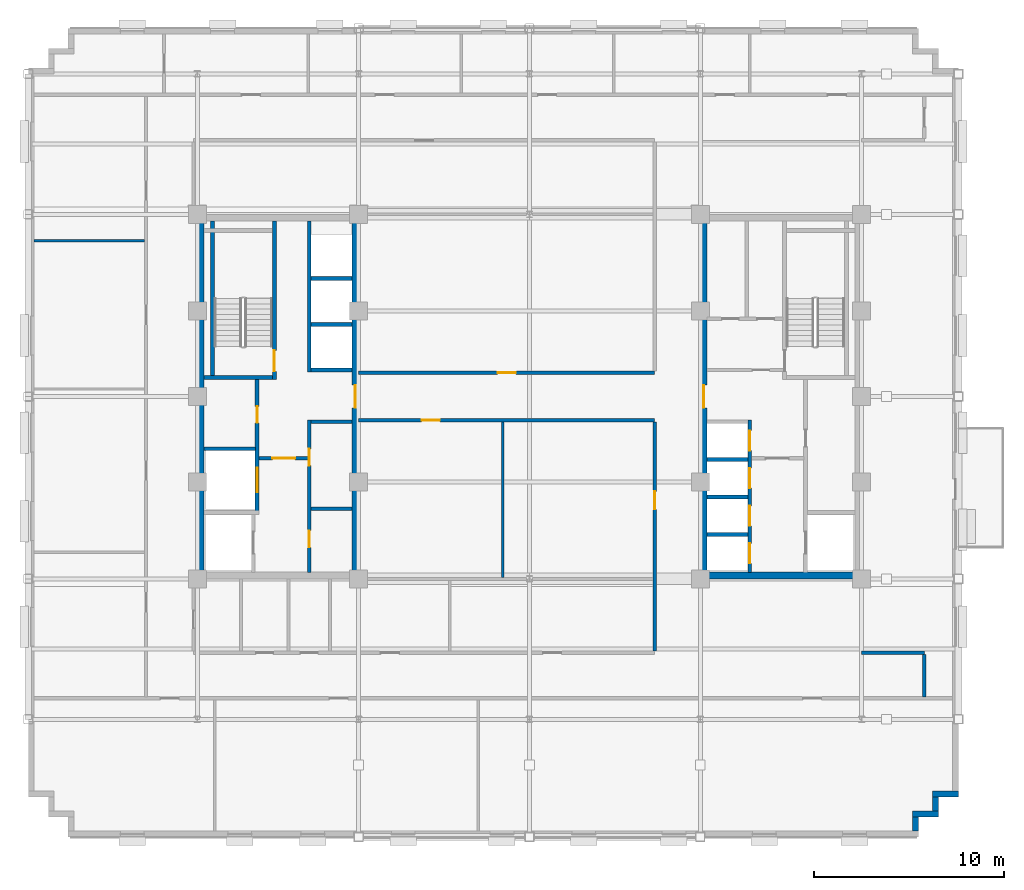
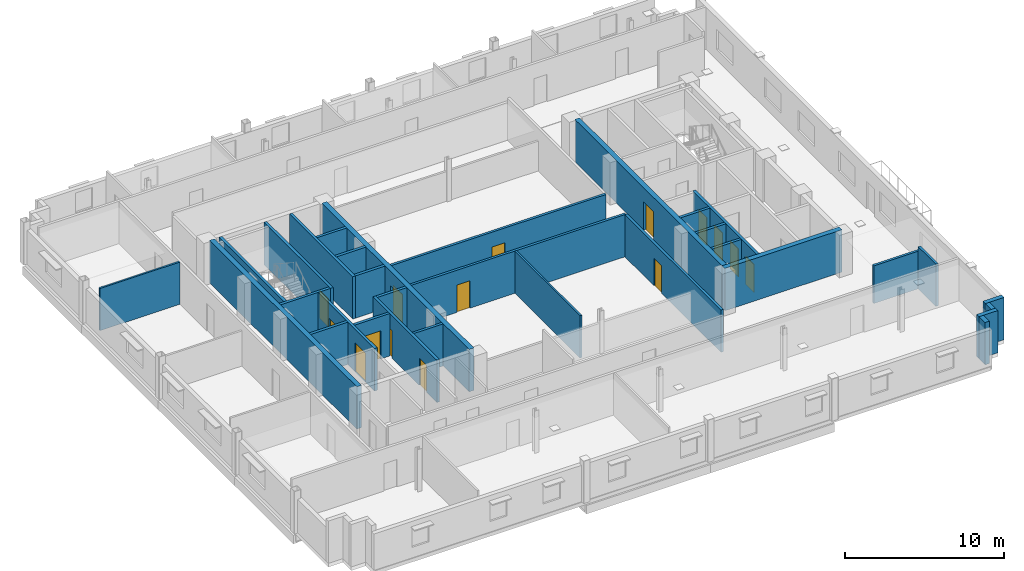
# One storey, part 8 of 15: 32 walls, 15 doors, 15 openings.
"""IFC4 building model written with IfcOpenShell, lengths in metres."""

import ifcopenshell
import ifcopenshell.guid

model = None  # the IFC model being written
_history = None  # IfcOwnerHistory: only IFC2X3 demands one
_inside = {}  # id of a spatial element -> (the spatial element, [elements in it])
_under = {}  # id of a project, library or spatial element -> (it, [spatial elements below it])
_declared = {}  # id of a project -> (the project, [libraries it declares])
_typed = {}  # id of a type object -> (the type object, [elements of that type])
_made_of = {}  # id of a material, layer set ... -> (it, [elements and type objects made of it])


def new_model(schema):
    """Start an empty IFC model of exactly this schema.

    Asked for "IFC4X3", IfcOpenShell would pick the latest addendum, in which some entities
    have other attributes; the version numbers below select the first issue.
    IFC2X3 requires an IfcOwnerHistory on every rooted entity: one is made here for all.
    """
    global model, _history
    if schema == "IFC4X3":
        model = ifcopenshell.file(schema_version=(4, 3, 0, 0))
    else:
        model = ifcopenshell.file(schema=schema)
    _inside.clear()
    _under.clear()
    _declared.clear()
    _typed.clear()
    _made_of.clear()
    _history = None
    if model.schema == "IFC2X3":
        org = make("IfcOrganization", Name="unknown")
        user = make(
            "IfcPersonAndOrganization",
            ThePerson=make("IfcPerson", FamilyName="unknown"),
            TheOrganization=org,
        )
        app = make(
            "IfcApplication",
            ApplicationDeveloper=org,
            Version="unknown",
            ApplicationFullName="unknown",
            ApplicationIdentifier="unknown",
        )
        _history = make(
            "IfcOwnerHistory",
            OwningUser=user,
            OwningApplication=app,
            ChangeAction="ADDED",
            CreationDate=0,
        )
    return model


def make(cls, **values):
    """One entity of the class cls with the attributes given. An attribute that is None is left unset."""
    return model.create_entity(
        cls, **{name: value for name, value in values.items() if value is not None}
    )


def rooted(cls, **values):
    """An entity with a GlobalId (a new one), such as an element, a storey or a relation."""
    return make(cls, GlobalId=ifcopenshell.guid.new(), OwnerHistory=_history, **values)


def si_unit(unit_type, name, prefix=None):
    """IfcSIUnit, for example si_unit("LENGTHUNIT", "METRE", prefix="MILLI")."""
    return make("IfcSIUnit", UnitType=unit_type, Prefix=prefix, Name=name)


def assignment(units):
    """IfcUnitAssignment: the units of a project."""
    return None if units is None else make("IfcUnitAssignment", Units=units)


def point(xyz):
    """IfcCartesianPoint."""
    return None if xyz is None else make("IfcCartesianPoint", Coordinates=xyz)


def direction(xyz):
    """IfcDirection."""
    return None if xyz is None else make("IfcDirection", DirectionRatios=xyz)


def frame(location, z_axis=None, x_axis=None):
    """IfcAxis2Placement3D, a coordinate frame: its origin and axes. An axis left out is left unset."""
    return make(
        "IfcAxis2Placement3D",
        Location=point(location),
        Axis=direction(z_axis),
        RefDirection=direction(x_axis),
    )


def frame_2d(location, x_axis=None):
    """IfcAxis2Placement2D, a coordinate frame in the plane: its origin and x axis."""
    return make(
        "IfcAxis2Placement2D", Location=point(location), RefDirection=direction(x_axis)
    )


def origin():
    """The frame at (0, 0, 0) with its axes left unset."""
    return frame((0.0, 0.0, 0.0))


def place(relative_to, where):
    """IfcLocalPlacement: puts the frame where relative to a parent placement (None: the world)."""
    return make(
        "IfcLocalPlacement", PlacementRelTo=relative_to, RelativePlacement=where
    )


def context(
    kind, dimensions, precision=None, world=None, true_north=None, identifier=None
):
    """IfcGeometricRepresentationContext, for example the 3D "Model" context."""
    return make(
        "IfcGeometricRepresentationContext",
        ContextIdentifier=identifier,
        ContextType=kind,
        CoordinateSpaceDimension=dimensions,
        Precision=precision,
        WorldCoordinateSystem=world,
        TrueNorth=true_north,
    )


def subcontext(parent, identifier, kind, view, scale=None):
    """IfcGeometricRepresentationSubContext, for example "Body" below "Model"."""
    return make(
        "IfcGeometricRepresentationSubContext",
        ContextIdentifier=identifier,
        ContextType=kind,
        ParentContext=parent,
        TargetScale=scale,
        TargetView=view,
    )


def project(units=None, contexts=None):
    """IfcProject with its units and contexts."""
    return rooted(
        "IfcProject",
        Name="project",
        RepresentationContexts=contexts,
        UnitsInContext=assignment(units),
    )


def spatial(cls, under=None, at=None, **own):
    """A site, building, storey or space (cls), placed at a placement, below another one or the project."""
    s = rooted(cls, ObjectPlacement=at, **own)
    if under is not None:
        _under.setdefault(under.id(), (under, []))[1].append(s)
    return s


def profile(cls, at=None, kind="AREA", **sizes):
    """A parametric profile (cls). Its sizes go by their IFC names, for example OverallWidth=200.0."""
    return make(cls, ProfileType=kind, Position=at, **sizes)


def rectangle(**sizes):
    """IfcRectangleProfileDef."""
    return profile("IfcRectangleProfileDef", **sizes)


def extrude(swept, where, along, depth):
    """IfcExtrudedAreaSolid: the profile swept, set in the frame where, extruded along a direction by depth."""
    return make(
        "IfcExtrudedAreaSolid",
        SweptArea=swept,
        Position=where,
        ExtrudedDirection=direction(along),
        Depth=depth,
    )


def shape(context_of_items, identifier, shape_type, items):
    """IfcShapeRepresentation: the items that make up one representation, for example the "Body"."""
    return make(
        "IfcShapeRepresentation",
        ContextOfItems=context_of_items,
        RepresentationIdentifier=identifier,
        RepresentationType=shape_type,
        Items=items,
    )


def source(mapping_origin, context_of_items, identifier, shape_type, items):
    """IfcRepresentationMap: a shape defined once, which mapped items show again and again."""
    return make(
        "IfcRepresentationMap",
        MappingOrigin=mapping_origin,
        MappedRepresentation=shape(context_of_items, identifier, shape_type, items),
    )


def transform(
    local_origin,
    x_axis=None,
    y_axis=None,
    z_axis=None,
    scale=None,
    scale2=None,
    scale3=None,
    uniform=True,
):
    """IfcCartesianTransformationOperator3D, or its non-uniform kind. x_axis, y_axis, z_axis: its Axis1, 2, 3."""
    if uniform:
        return make(
            "IfcCartesianTransformationOperator3D",
            Axis1=direction(x_axis),
            Axis2=direction(y_axis),
            LocalOrigin=point(local_origin),
            Scale=scale,
            Axis3=direction(z_axis),
        )
    return make(
        "IfcCartesianTransformationOperator3DnonUniform",
        Axis1=direction(x_axis),
        Axis2=direction(y_axis),
        LocalOrigin=point(local_origin),
        Scale=scale,
        Axis3=direction(z_axis),
        Scale2=scale2,
        Scale3=scale3,
    )


def mapped(mapping_source, mapping_target):
    """IfcMappedItem: shows the shape of a source again, moved by a transform."""
    return make(
        "IfcMappedItem", MappingSource=mapping_source, MappingTarget=mapping_target
    )


def material(Name=None, Category=None):
    """IfcMaterial."""
    return make("IfcMaterial", Name=Name, Category=Category)


def layer(
    of_material, thickness, ventilated=None, Name=None, Category=None, Priority=None
):
    """IfcMaterialLayer: one layer of a wall or slab, of a material (None: an air gap)."""
    return make(
        "IfcMaterialLayer",
        Material=of_material,
        LayerThickness=thickness,
        IsVentilated=ventilated,
        Name=Name,
        Category=Category,
        Priority=Priority,
    )


def layer_set(layers, Name=None):
    """IfcMaterialLayerSet."""
    return make("IfcMaterialLayerSet", MaterialLayers=layers, LayerSetName=Name)


def made_of(thing, what):
    """Note that an element or type object is made of a material, layer set ...; save() writes the relation."""
    if what is not None:
        _made_of.setdefault(what.id(), (what, []))[1].append(thing)
    return thing


def type_object(cls, material=None, **own):
    """A type object (cls), such as IfcWallType, which elements share."""
    return made_of(rooted(cls, **own), material)


def type_shapes(of_type, sources):
    """Give a type object the sources (RepresentationMaps) that its elements show as mapped items."""
    of_type.RepresentationMaps = sources


def element(
    cls,
    number,
    at=None,
    inside=None,
    cuts=None,
    type_object=None,
    material=None,
    context=None,
    identifier="Body",
    shape_type=None,
    held_by="IfcProductDefinitionShape",
    body=None,
    shapes=None,
    **own,
):
    """One element of the class cls, such as IfcWall. Its Tag is "e" and its number.

    at: its placement. inside: the storey or other place that contains it. cuts: it is an
    opening in that element (IfcRelVoidsElement). A single representation is given by context,
    identifier, shape_type and body (its items); several are given by shapes. held_by: the class
    of the entity that holds the representations. save() writes the other relations.
    """
    e = rooted(cls, Tag="e%d" % number, ObjectPlacement=at, **own)
    if body is not None:
        shapes = [shape(context, identifier, shape_type, body)]
    if shapes is not None:
        e.Representation = make(held_by, Representations=shapes)
    if inside is not None:
        _inside.setdefault(inside.id(), (inside, []))[1].append(e)
    if cuts is not None:
        rooted(
            "IfcRelVoidsElement", RelatingBuildingElement=cuts, RelatedOpeningElement=e
        )
    if type_object is not None:
        _typed.setdefault(type_object.id(), (type_object, []))[1].append(e)
    return made_of(e, material)


def fill(opening, filler):
    """IfcRelFillsElement: the door or window that sits in an opening."""
    return rooted(
        "IfcRelFillsElement",
        RelatingOpeningElement=opening,
        RelatedBuildingElement=filler,
    )


def aggregate(whole, parts):
    """IfcRelAggregates: a whole, such as a stair, and the parts it consists of."""
    return rooted("IfcRelAggregates", RelatingObject=whole, RelatedObjects=parts)


def save(model, path):
    """Write the relations noted so far, then the file.

    IfcRelAggregates (storeys below a building ...), IfcRelContainedInSpatialStructure (elements
    in a storey), IfcRelDefinesByType, IfcRelAssociatesMaterial and IfcRelDeclares: one each for
    every whole, place, type object, material and project.
    """
    for whole, parts in _under.values():
        aggregate(whole, parts)
    for where, things in _inside.values():
        rooted(
            "IfcRelContainedInSpatialStructure",
            RelatedElements=things,
            RelatingStructure=where,
        )
    for kind, things in _typed.values():
        rooted("IfcRelDefinesByType", RelatedObjects=things, RelatingType=kind)
    for what, things in _made_of.values():
        rooted("IfcRelAssociatesMaterial", RelatedObjects=things, RelatingMaterial=what)
    for by, libraries in _declared.values():
        rooted("IfcRelDeclares", RelatingContext=by, RelatedDefinitions=libraries)
    model.write(path)


model = new_model("IFC4")

# Units and contexts
model_context = context("Model", 3, precision=1e-05, world=origin(), true_north=direction((0.0, 1.0)))
body_context = subcontext(model_context, "Body", "Model", "MODEL_VIEW")
ifc_project = project(units=[si_unit("LENGTHUNIT", "METRE"), si_unit("AREAUNIT", "SQUARE_METRE"), si_unit("VOLUMEUNIT", "CUBIC_METRE"), si_unit("PLANEANGLEUNIT", "RADIAN"), si_unit("MASSUNIT", "GRAM", prefix="KILO")], contexts=[model_context])

# Site, building, storey
site_placement = place(None, origin())
site = spatial("IfcSite", under=ifc_project, at=site_placement, CompositionType="ELEMENT")
building_placement = place(site_placement, origin())
building = spatial("IfcBuilding", under=site, at=building_placement, Name="Nuvemarco Arch Tower", CompositionType="ELEMENT")
storey_placement = place(building_placement, frame((0.0, 0.0, 205.5)))
storey = spatial("IfcBuildingStorey", under=building, at=storey_placement, Name="L54", CompositionType="ELEMENT", Elevation=205.5)

# Walls
ifc_material_1 = material(Name="Precast concrete C45/55", Category="concrete")
ifc_layer_1 = layer(ifc_material_1, 0.31005859375, Name="EW-UPP-310")
ifc_layer_set_1 = layer_set([ifc_layer_1], Name="Precast concrete C45/55")
wall_type_1 = type_object("IfcWallType", Name="EW-UPP-310", PredefinedType="STANDARD", material=ifc_layer_set_1)
wall_1_placement = place(storey_placement, frame((20.344970703125, -22.89404296875, 0.0), z_axis=(0.0, 0.0, 1.0), x_axis=(0.0, 1.0, 0.0)))
element("IfcWall", 1, at=wall_1_placement, inside=storey, type_object=wall_type_1, Name="L54 exterior precast facade wall 2", PredefinedType="STANDARD", context=body_context, shape_type="SweptSolid", body=[
    extrude(rectangle(XDim=0.748046875, YDim=0.31005859375, at=frame_2d((0.3740234375, 0.0))), origin(), (0.0, 0.0, 1.0), 3.239990234375),
])
wall_2_placement = place(storey_placement, frame((20.18994140625, -21.9951171875, 0.0), z_axis=(0.0, 0.0, 1.0), x_axis=(1.0, 0.0, 0.0)))
element("IfcWall", 2, at=wall_2_placement, inside=storey, type_object=wall_type_1, Name="L54 exterior precast facade wall 3", PredefinedType="STANDARD", context=body_context, shape_type="SweptSolid", body=[
    extrude(rectangle(XDim=1.360107421875, YDim=0.31005859375, at=frame_2d((0.68017578125, 0.0))), origin(), (0.0, 0.0, 1.0), 3.239990234375),
])
wall_3_placement = place(storey_placement, frame((21.39501953125, -21.843994140625, 0.0), z_axis=(0.0, 0.0, 1.0), x_axis=(0.0, 1.0, 0.0)))
element("IfcWall", 3, at=wall_3_placement, inside=storey, type_object=wall_type_1, Name="L54 exterior precast facade wall 4", PredefinedType="STANDARD", context=body_context, shape_type="SweptSolid", body=[
    extrude(rectangle(XDim=0.748046875, YDim=0.31005859375, at=frame_2d((0.3740234375, 0.0))), origin(), (0.0, 0.0, 1.0), 3.239990234375),
])
wall_4_placement = place(storey_placement, frame((21.239990234375, -20.945068359375, 0.0), z_axis=(0.0, 0.0, 1.0), x_axis=(1.0, 0.0, 0.0)))
element("IfcWall", 4, at=wall_4_placement, inside=storey, type_object=wall_type_1, Name="L54 exterior precast facade wall 5", PredefinedType="STANDARD", context=body_context, shape_type="SweptSolid", body=[
    extrude(rectangle(XDim=1.360107421875, YDim=0.31005859375, at=frame_2d((0.68017578125, 0.0))), origin(), (0.0, 0.0, 1.0), 3.239990234375),
])
ifc_material_2 = material(Name="Concrete C50/60", Category="concrete")
ifc_layer_2 = layer(ifc_material_2, 0.35009765625, Name="WL-CORE-350")
ifc_layer_set_2 = layer_set([ifc_layer_2], Name="Concrete C50/60")
wall_type_2 = type_object("IfcWallType", Name="WL-CORE-350", PredefinedType="SHEAR", material=ifc_layer_set_2)
wall_5_placement = place(storey_placement, frame((-17.324951171875, -9.2548828125, 0.0), z_axis=(0.0, 0.0, 1.0), x_axis=(0.0, 1.0, 0.0)))
element("IfcWall", 5, at=wall_5_placement, inside=storey, type_object=wall_type_2, Name="L54 W-core shear wall W", PredefinedType="SHEAR", context=body_context, shape_type="SweptSolid", body=[
    extrude(rectangle(XDim=18.509765625, YDim=0.35009765625, at=frame_2d((9.2548828125, 0.0))), origin(), (0.0, 0.0, 1.0), 3.25),
])

# Wall, opening, door
wall_6_placement = place(storey_placement, frame((-9.175048828125, -9.2548828125, 0.0), z_axis=(0.0, 0.0, 1.0), x_axis=(0.0, 1.0, 0.0)))
wall_6 = element("IfcWall", 6, at=wall_6_placement, inside=storey, type_object=wall_type_2, Name="L54 W-core shear wall E", PredefinedType="SHEAR", context=body_context, shape_type="SweptSolid", body=[
    extrude(rectangle(XDim=18.509765625, YDim=0.35009765625, at=frame_2d((9.2548828125, 0.0))), origin(), (0.0, 0.0, 1.0), 3.25),
])
opening_1_placement = place(wall_6_placement, frame((8.655029296875, 0.0, 0.0)))
opening_1 = element("IfcOpeningElement", 7, at=opening_1_placement, cuts=wall_6, Name="Opening FD-2", PredefinedType="OPENING", context=body_context, shape_type="SweptSolid", body=[
    extrude(rectangle(XDim=1.199951171875, YDim=2.14990234375, at=frame_2d((0.60009765625, 1.074951171875))), frame((0.0, 0.18505859375, 0.0), z_axis=(0.0, -1.0, 0.0), x_axis=(1.0, 0.0, 0.0)), (0.0, 0.0, 1.0), 0.3701171875),
])
ifc_material_3 = material(Name="Anodised steel fire door", Category="steel")
door_type_1 = type_object("IfcDoorType", Name="DR-FFLOB-FD", OperationType="NOTDEFINED", PredefinedType="DOOR", material=ifc_material_3)
shared_shape_1 = source(origin(), body_context, "Body", "SweptSolid", [
    extrude(rectangle(XDim=1.199951171875, YDim=2.14990234375, at=frame_2d((0.60009765625, 1.074951171875))), frame((0.0, 0.02490234375, 0.0), z_axis=(0.0, -1.0, 0.0), x_axis=(1.0, 0.0, 0.0)), (0.0, 0.0, 1.0), 0.050048828125),
])
type_shapes(door_type_1, [shared_shape_1])
door_1_placement = place(opening_1_placement, origin())
door_1 = element("IfcDoor", 8, at=door_1_placement, inside=storey, type_object=door_type_1, Name="L54 door FD-L54-WCORE-E", OperationType="SINGLE_SWING_LEFT", OverallHeight=2.14990234375, OverallWidth=1.199951171875, PredefinedType="DOOR", context=body_context, shape_type="MappedRepresentation", body=[
    mapped(shared_shape_1, transform((0.0, 0.0, 0.0), scale=1.0)),
])
fill(opening_1, door_1)

# Wall
wall_7_placement = place(storey_placement, frame((9.0, -9.425048828125, 0.0), z_axis=(0.0, 0.0, 1.0), x_axis=(1.0, 0.0, 0.0)))
element("IfcWall", 9, at=wall_7_placement, inside=storey, type_object=wall_type_2, Name="L54 E-core shear wall S", PredefinedType="SHEAR", context=body_context, shape_type="SweptSolid", body=[
    extrude(rectangle(XDim=8.5, YDim=0.35009765625, at=frame_2d((4.25, 0.0))), origin(), (0.0, 0.0, 1.0), 3.25),
])

# Wall, opening, door
wall_8_placement = place(storey_placement, frame((9.175048828125, -9.2548828125, 0.0), z_axis=(0.0, 0.0, 1.0), x_axis=(0.0, 1.0, 0.0)))
wall_8 = element("IfcWall", 10, at=wall_8_placement, inside=storey, type_object=wall_type_2, Name="L54 E-core shear wall W", PredefinedType="SHEAR", context=body_context, shape_type="SweptSolid", body=[
    extrude(rectangle(XDim=18.509765625, YDim=0.35009765625, at=frame_2d((9.2548828125, 0.0))), origin(), (0.0, 0.0, 1.0), 3.25),
])
opening_2_placement = place(wall_8_placement, frame((8.655029296875, 0.0, 0.0)))
opening_2 = element("IfcOpeningElement", 11, at=opening_2_placement, cuts=wall_8, Name="Opening FD-2", PredefinedType="OPENING", context=body_context, shape_type="SweptSolid", body=[
    extrude(rectangle(XDim=1.199951171875, YDim=2.14990234375, at=frame_2d((0.60009765625, 1.074951171875))), frame((0.0, 0.18505859375, 0.0), z_axis=(0.0, -1.0, 0.0), x_axis=(1.0, 0.0, 0.0)), (0.0, 0.0, 1.0), 0.3701171875),
])
door_2_placement = place(opening_2_placement, origin())
door_2 = element("IfcDoor", 12, at=door_2_placement, inside=storey, type_object=door_type_1, Name="L54 door FD-L54-ECORE-W", OperationType="SINGLE_SWING_RIGHT", OverallHeight=2.14990234375, OverallWidth=1.199951171875, PredefinedType="DOOR", context=body_context, shape_type="MappedRepresentation", body=[
    mapped(shared_shape_1, transform((0.0, 0.0, 0.0), scale=1.0)),
])
fill(opening_2, door_2)

# Walls
ifc_material_4 = material(Name="Fire-rated gypsum drywall partition")
ifc_layer_3 = layer(ifc_material_4, 0.179931640625, Name="WL-CORR-180")
ifc_layer_set_3 = layer_set([ifc_layer_3], Name="Fire-rated gypsum drywall partition")
wall_type_3 = type_object("IfcWallType", Name="WL-CORR-180", PredefinedType="PARTITIONING", material=ifc_layer_set_3)
wall_9_placement = place(storey_placement, frame((-11.5048828125, -5.89990234375, 0.0), z_axis=(0.0, 0.0, 1.0), x_axis=(1.0, 0.0, 0.0)))
element("IfcWall", 13, at=wall_9_placement, inside=storey, type_object=wall_type_3, Name="L54 interior wall IW-L54-W-RECK3", PredefinedType="PARTITIONING", context=body_context, shape_type="SweptSolid", body=[
    extrude(rectangle(XDim=2.159912109375, YDim=0.179931640625, at=frame_2d((1.080078125, 0.0))), origin(), (0.0, 0.0, 1.0), 3.239990234375),
])
wall_10_placement = place(storey_placement, frame((17.5, -13.5, 0.0), z_axis=(0.0, 0.0, 1.0), x_axis=(1.0, 0.0, 0.0)))
element("IfcWall", 14, at=wall_10_placement, inside=storey, type_object=wall_type_3, Name="L54 interior wall IW-L54-003", PredefinedType="PARTITIONING", context=body_context, shape_type="SweptSolid", body=[
    extrude(rectangle(XDim=3.300048828125, YDim=0.179931640625, at=frame_2d((1.64990234375, 0.0))), origin(), (0.0, 0.0, 1.0), 2.887939453125),
])

# Wall, opening, door
wall_11_placement = place(storey_placement, frame((-9.0, -1.25, 0.0), z_axis=(0.0, 0.0, 1.0), x_axis=(1.0, 0.0, 0.0)))
wall_11 = element("IfcWall", 15, at=wall_11_placement, inside=storey, type_object=wall_type_3, Name="L54 interior wall IW-L54-007", PredefinedType="PARTITIONING", context=body_context, shape_type="SweptSolid", body=[
    extrude(rectangle(XDim=15.60009765625, YDim=0.179931640625, at=frame_2d((7.800048828125, 0.0))), origin(), (0.0, 0.0, 1.0), 3.239990234375),
])
opening_3_placement = place(wall_11_placement, frame((3.320068359375, 0.0, 0.0)))
opening_3 = element("IfcOpeningElement", 16, at=opening_3_placement, cuts=wall_11, Name="Opening FD-5", PredefinedType="OPENING", context=body_context, shape_type="SweptSolid", body=[
    extrude(rectangle(XDim=0.9599609375, YDim=2.10009765625, at=frame_2d((0.47998046875, 1.050048828125))), frame((0.0, 0.099853515625, 0.0), z_axis=(0.0, -1.0, 0.0), x_axis=(1.0, 0.0, 0.0)), (0.0, 0.0, 1.0), 0.199951171875),
])
ifc_material_5 = material(Name="Timber fire door", Category="wood")
door_type_2 = type_object("IfcDoorType", Name="DR-CORR-FD", OperationType="NOTDEFINED", PredefinedType="DOOR", material=ifc_material_5)
shared_shape_2 = source(origin(), body_context, "Body", "SweptSolid", [
    extrude(rectangle(XDim=0.9599609375, YDim=2.10009765625, at=frame_2d((0.47998046875, 1.050048828125))), frame((0.0, 0.02490234375, 0.0), z_axis=(0.0, -1.0, 0.0), x_axis=(1.0, 0.0, 0.0)), (0.0, 0.0, 1.0), 0.050048828125),
])
type_shapes(door_type_2, [shared_shape_2])
door_3_placement = place(opening_3_placement, origin())
door_3 = element("IfcDoor", 17, at=door_3_placement, inside=storey, type_object=door_type_2, Name="L54 door DR-L54-C_S1", OperationType="SINGLE_SWING_LEFT", OverallHeight=2.10009765625, OverallWidth=0.9599609375, PredefinedType="DOOR", context=body_context, shape_type="MappedRepresentation", body=[
    mapped(shared_shape_2, transform((0.0, 0.0, 0.0), scale=1.0)),
])
fill(opening_3, door_3)

wall_12_placement = place(storey_placement, frame((-9.0, 1.25, 0.0), z_axis=(0.0, 0.0, 1.0), x_axis=(1.0, 0.0, 0.0)))
wall_12 = element("IfcWall", 18, at=wall_12_placement, inside=storey, type_object=wall_type_3, Name="L54 interior wall IW-L54-009", PredefinedType="PARTITIONING", context=body_context, shape_type="SweptSolid", body=[
    extrude(rectangle(XDim=15.60009765625, YDim=0.179931640625, at=frame_2d((7.800048828125, 0.0))), origin(), (0.0, 0.0, 1.0), 3.239990234375),
])
opening_4_placement = place(wall_12_placement, frame((7.320068359375, 0.0, 0.0)))
opening_4 = element("IfcOpeningElement", 19, at=opening_4_placement, cuts=wall_12, Name="Opening FD-5", PredefinedType="OPENING", context=body_context, shape_type="SweptSolid", body=[
    extrude(rectangle(XDim=0.9599609375, YDim=2.10009765625, at=frame_2d((0.47998046875, 1.050048828125))), frame((0.0, 0.099853515625, 0.0), z_axis=(0.0, -1.0, 0.0), x_axis=(1.0, 0.0, 0.0)), (0.0, 0.0, 1.0), 0.199951171875),
])
door_4_placement = place(opening_4_placement, origin())
door_4 = element("IfcDoor", 20, at=door_4_placement, inside=storey, type_object=door_type_2, Name="L54 door DR-L54-C_N1", OperationType="SINGLE_SWING_LEFT", OverallHeight=2.10009765625, OverallWidth=0.9599609375, PredefinedType="DOOR", context=body_context, shape_type="MappedRepresentation", body=[
    mapped(shared_shape_2, transform((0.0, 0.0, 0.0), scale=1.0)),
])
fill(opening_4, door_4)

wall_13_placement = place(storey_placement, frame((6.60009765625, -13.4140625, 0.0), z_axis=(0.0, 0.0, 1.0), x_axis=(0.0, 1.0, 0.0)))
wall_13 = element("IfcWall", 21, at=wall_13_placement, inside=storey, type_object=wall_type_3, Name="L54 interior wall IW-L54-030", PredefinedType="PARTITIONING", context=body_context, shape_type="SweptSolid", body=[
    extrude(rectangle(XDim=12.078125, YDim=0.179931640625, at=frame_2d((6.0390625, 0.0))), origin(), (0.0, 0.0, 1.0), 3.239990234375),
])
opening_5_placement = place(wall_13_placement, frame((7.466064453125, 0.0, 0.0)))
opening_5 = element("IfcOpeningElement", 22, at=opening_5_placement, cuts=wall_13, Name="Opening FD-5", PredefinedType="OPENING", context=body_context, shape_type="SweptSolid", body=[
    extrude(rectangle(XDim=0.9599609375, YDim=2.10009765625, at=frame_2d((0.47998046875, 1.050048828125))), frame((0.0, 0.099853515625, 0.0), z_axis=(0.0, -1.0, 0.0), x_axis=(1.0, 0.0, 0.0)), (0.0, 0.0, 1.0), 0.199951171875),
])
door_5_placement = place(opening_5_placement, origin())
door_5 = element("IfcDoor", 23, at=door_5_placement, inside=storey, type_object=door_type_2, Name="L54 door DR-L54-C_S2", OperationType="SINGLE_SWING_LEFT", OverallHeight=2.10009765625, OverallWidth=0.9599609375, PredefinedType="DOOR", context=body_context, shape_type="MappedRepresentation", body=[
    mapped(shared_shape_2, transform((0.0, 0.0, 0.0), scale=1.0)),
])
fill(opening_5, door_5)

# Walls
wall_14_placement = place(storey_placement, frame((20.800048828125, -15.81396484375, 0.0), z_axis=(0.0, 0.0, 1.0), x_axis=(0.0, 1.0, 0.0)))
element("IfcWall", 24, at=wall_14_placement, inside=storey, type_object=wall_type_3, Name="L54 interior wall IW-L54-033", PredefinedType="PARTITIONING", context=body_context, shape_type="SweptSolid", body=[
    extrude(rectangle(XDim=2.22802734375, YDim=0.179931640625, at=frame_2d((1.114013671875, 0.0))), origin(), (0.0, 0.0, 1.0), 3.239990234375),
])
ifc_material_6 = material(Name="Glazed acoustic office partition")
ifc_layer_4 = layer(ifc_material_6, 0.1298828125, Name="WL-EXEC-130")
ifc_layer_set_4 = layer_set([ifc_layer_4], Name="Glazed acoustic office partition")
wall_type_4 = type_object("IfcWallType", Name="WL-EXEC-130", PredefinedType="PARTITIONING", material=ifc_layer_set_4)
wall_15_placement = place(storey_placement, frame((-26.090087890625, 8.199951171875, 0.0), z_axis=(0.0, 0.0, 1.0), x_axis=(1.0, 0.0, 0.0)))
element("IfcWall", 25, at=wall_15_placement, inside=storey, type_object=wall_type_4, Name="L54 interior wall IW-L54-010", PredefinedType="PARTITIONING", context=body_context, shape_type="SweptSolid", body=[
    extrude(rectangle(XDim=5.80419921875, YDim=0.1298828125, at=frame_2d((2.902099609375, 0.0))), origin(), (0.0, 0.0, 1.0), 3.239990234375),
])
wall_16_placement = place(storey_placement, frame((-1.39990234375, -9.52392578125, 0.0), z_axis=(0.0, 0.0, 1.0), x_axis=(0.0, 1.0, 0.0)))
element("IfcWall", 26, at=wall_16_placement, inside=storey, type_object=wall_type_4, Name="L54 interior wall IW-L54-028", PredefinedType="PARTITIONING", context=body_context, shape_type="SweptSolid", body=[
    extrude(rectangle(XDim=8.18798828125, YDim=0.1298828125, at=frame_2d((4.093994140625, 0.0))), origin(), (0.0, 0.0, 1.0), 3.239990234375),
])

# Wall, opening, door
ifc_layer_5 = layer(ifc_material_2, 0.199951171875, Name="WL-SHAFT-220")
ifc_layer_set_5 = layer_set([ifc_layer_5], Name="Concrete C50/60")
wall_type_5 = type_object("IfcWallType", Name="WL-SHAFT-220", PredefinedType="SHEAR", material=ifc_layer_set_5)
wall_17_placement = place(storey_placement, frame((-13.43994140625, 0.89990234375, 0.0), z_axis=(0.0, 0.0, 1.0), x_axis=(0.0, 1.0, 0.0)))
wall_17 = element("IfcWall", 27, at=wall_17_placement, inside=storey, type_object=wall_type_5, Name="L54 structural shaft wall SW-L54-W-ST1E", PredefinedType="SHEAR", context=body_context, shape_type="SweptSolid", body=[
    extrude(rectangle(XDim=8.35498046875, YDim=0.199951171875, at=frame_2d((4.177490234375, 0.0))), origin(), (0.0, 0.0, 1.0), 3.25),
])
opening_6_placement = place(wall_17_placement, frame((1.530029296875, 0.0, 0.0), z_axis=(0.0, 0.0, 1.0), x_axis=(-1.0, 0.0, 0.0)))
opening_6 = element("IfcOpeningElement", 28, at=opening_6_placement, cuts=wall_17, Name="Opening FD-1", PredefinedType="OPENING", context=body_context, shape_type="SweptSolid", body=[
    extrude(rectangle(XDim=1.10009765625, YDim=2.14990234375, at=frame_2d((0.550048828125, 1.074951171875))), frame((0.0, 0.10986328125, 0.0), z_axis=(0.0, -1.0, 0.0), x_axis=(1.0, 0.0, 0.0)), (0.0, 0.0, 1.0), 0.219970703125),
])
door_type_3 = type_object("IfcDoorType", Name="DR-STAIR-FD", OperationType="NOTDEFINED", PredefinedType="DOOR", material=ifc_material_3)
shared_shape_3 = source(origin(), body_context, "Body", "SweptSolid", [
    extrude(rectangle(XDim=1.10009765625, YDim=2.14990234375, at=frame_2d((0.550048828125, 1.074951171875))), frame((0.0, 0.02490234375, 0.0), z_axis=(0.0, -1.0, 0.0), x_axis=(1.0, 0.0, 0.0)), (0.0, 0.0, 1.0), 0.050048828125),
])
type_shapes(door_type_3, [shared_shape_3])
door_6_placement = place(opening_6_placement, origin())
door_6 = element("IfcDoor", 29, at=door_6_placement, inside=storey, type_object=door_type_3, Name="L54 door FD-L54-ST1", OperationType="SINGLE_SWING_LEFT", OverallHeight=2.14990234375, OverallWidth=1.10009765625, PredefinedType="DOOR", context=body_context, shape_type="MappedRepresentation", body=[
    mapped(shared_shape_3, transform((0.0, 0.0, 0.0), scale=1.0)),
])
fill(opening_6, door_6)

# Walls
wall_18_placement = place(storey_placement, frame((-17.155029296875, 1.0, 0.0), z_axis=(0.0, 0.0, 1.0), x_axis=(1.0, 0.0, 0.0)))
element("IfcWall", 30, at=wall_18_placement, inside=storey, type_object=wall_type_5, Name="L54 structural shaft wall SW-L54-W-ST1S", PredefinedType="SHEAR", context=body_context, shape_type="SweptSolid", body=[
    extrude(rectangle(XDim=3.6201171875, YDim=0.199951171875, at=frame_2d((1.81005859375, 0.0))), origin(), (0.0, 0.0, 1.0), 3.25),
])
wall_19_placement = place(storey_placement, frame((-16.699951171875, 1.094970703125, 0.0), z_axis=(0.0, 0.0, 1.0), x_axis=(0.0, 1.0, 0.0)))
element("IfcWall", 31, at=wall_19_placement, inside=storey, type_object=wall_type_5, Name="L54 structural shaft wall SW-L54-W-ST1W", PredefinedType="SHEAR", context=body_context, shape_type="SweptSolid", body=[
    extrude(rectangle(XDim=8.159912109375, YDim=0.199951171875, at=frame_2d((4.080078125, 0.0))), origin(), (0.0, 0.0, 1.0), 3.25),
])

# Wall, openings, doors
wall_20_placement = place(storey_placement, frame((-14.35009765625, -6.199951171875, 0.0), z_axis=(0.0, 0.0, 1.0), x_axis=(0.0, 1.0, 0.0)))
wall_20 = element("IfcWall", 32, at=wall_20_placement, inside=storey, type_object=wall_type_5, Name="L54 structural shaft wall SW-L54-W-SVE", PredefinedType="SHEAR", context=body_context, shape_type="SweptSolid", body=[
    extrude(rectangle(XDim=7.10498046875, YDim=0.199951171875, at=frame_2d((3.552490234375, 0.0))), origin(), (0.0, 0.0, 1.0), 3.25),
])
opening_7_placement = place(wall_20_placement, frame((5.68994140625, 0.0, 0.0), z_axis=(0.0, 0.0, 1.0), x_axis=(-1.0, 0.0, 0.0)))
opening_7 = element("IfcOpeningElement", 33, at=opening_7_placement, cuts=wall_20, Name="Opening FD-4", PredefinedType="OPENING", context=body_context, shape_type="SweptSolid", body=[
    extrude(rectangle(XDim=0.8798828125, YDim=2.10009765625, at=frame_2d((0.43994140625, 1.050048828125))), frame((0.0, 0.10986328125, 0.0), z_axis=(0.0, -1.0, 0.0), x_axis=(1.0, 0.0, 0.0)), (0.0, 0.0, 1.0), 0.219970703125),
])
opening_8_placement = place(wall_20_placement, frame((1.14990234375, 0.0, 0.0)))
opening_8 = element("IfcOpeningElement", 34, at=opening_8_placement, cuts=wall_20, Name="Opening LD-3", PredefinedType="OPENING", context=body_context, shape_type="SweptSolid", body=[
    extrude(rectangle(XDim=1.300048828125, YDim=2.199951171875, at=frame_2d((0.64990234375, 1.10009765625))), frame((0.0, 0.10986328125, 0.0), z_axis=(0.0, -1.0, 0.0), x_axis=(1.0, 0.0, 0.0)), (0.0, 0.0, 1.0), 0.219970703125),
])
door_type_4 = type_object("IfcDoorType", Name="DR-RISER-FD", OperationType="NOTDEFINED", PredefinedType="DOOR", material=ifc_material_3)
shared_shape_4 = source(origin(), body_context, "Body", "SweptSolid", [
    extrude(rectangle(XDim=0.8798828125, YDim=2.10009765625, at=frame_2d((0.43994140625, 1.050048828125))), frame((0.0, 0.02490234375, 0.0), z_axis=(0.0, -1.0, 0.0), x_axis=(1.0, 0.0, 0.0)), (0.0, 0.0, 1.0), 0.050048828125),
])
type_shapes(door_type_4, [shared_shape_4])
door_7_placement = place(opening_7_placement, origin())
door_7 = element("IfcDoor", 35, at=door_7_placement, inside=storey, type_object=door_type_4, Name="L54 door FD-L54-WRIS", OperationType="SINGLE_SWING_LEFT", OverallHeight=2.10009765625, OverallWidth=0.8798828125, PredefinedType="DOOR", context=body_context, shape_type="MappedRepresentation", body=[
    mapped(shared_shape_4, transform((0.0, 0.0, 0.0), scale=1.0)),
])
fill(opening_7, door_7)
ifc_material_7 = material(Name="Stainless steel lift door", Category="steel")
door_type_5 = type_object("IfcDoorType", Name="DR-LIFT-SERV", OperationType="DOUBLE_DOOR_SLIDING", PredefinedType="DOOR", material=ifc_material_7)
shared_shape_5 = source(origin(), body_context, "Body", "SweptSolid", [
    extrude(rectangle(XDim=1.300048828125, YDim=2.199951171875, at=frame_2d((0.64990234375, 1.10009765625))), frame((0.0, 0.02490234375, 0.0), z_axis=(0.0, -1.0, 0.0), x_axis=(1.0, 0.0, 0.0)), (0.0, 0.0, 1.0), 0.050048828125),
])
type_shapes(door_type_5, [shared_shape_5])
door_8_placement = place(opening_8_placement, origin())
door_8 = element("IfcDoor", 36, at=door_8_placement, inside=storey, type_object=door_type_5, Name="L54 Lift landing sliding door SVL-1", OperationType="DOUBLE_DOOR_SLIDING", OverallHeight=2.199951171875, OverallWidth=1.300048828125, PredefinedType="DOOR", context=body_context, shape_type="MappedRepresentation", body=[
    mapped(shared_shape_5, transform((0.0, 0.0, 0.0), scale=1.0)),
])
fill(opening_8, door_8)

# Wall
wall_21_placement = place(storey_placement, frame((-17.155029296875, -2.75, 0.0), z_axis=(0.0, 0.0, 1.0), x_axis=(1.0, 0.0, 0.0)))
element("IfcWall", 37, at=wall_21_placement, inside=storey, type_object=wall_type_5, Name="L54 structural shaft wall SW-L54-W-SH2", PredefinedType="SHEAR", context=body_context, shape_type="SweptSolid", body=[
    extrude(rectangle(XDim=2.7099609375, YDim=0.199951171875, at=frame_2d((1.35498046875, 0.0))), origin(), (0.0, 0.0, 1.0), 3.25),
])

# Wall, openings, doors
wall_22_placement = place(storey_placement, frame((-11.60009765625, -9.2548828125, 0.0), z_axis=(0.0, 0.0, 1.0), x_axis=(0.0, 1.0, 0.0)))
wall_22 = element("IfcWall", 38, at=wall_22_placement, inside=storey, type_object=wall_type_5, Name="L54 structural shaft wall SW-L54-W-PLW", PredefinedType="SHEAR", context=body_context, shape_type="SweptSolid", body=[
    extrude(rectangle(XDim=8.02490234375, YDim=0.199951171875, at=frame_2d((4.012451171875, 0.0))), origin(), (0.0, 0.0, 1.0), 3.25),
])
opening_9_placement = place(wall_22_placement, frame((1.31494140625, 0.0, 0.0)))
opening_9 = element("IfcOpeningElement", 39, at=opening_9_placement, cuts=wall_22, Name="Opening FD-4", PredefinedType="OPENING", context=body_context, shape_type="SweptSolid", body=[
    extrude(rectangle(XDim=0.8798828125, YDim=2.10009765625, at=frame_2d((0.43994140625, 1.050048828125))), frame((0.0, 0.10986328125, 0.0), z_axis=(0.0, -1.0, 0.0), x_axis=(1.0, 0.0, 0.0)), (0.0, 0.0, 1.0), 0.219970703125),
])
opening_10_placement = place(wall_22_placement, frame((5.614990234375, 0.0, 0.0)))
opening_10 = element("IfcOpeningElement", 40, at=opening_10_placement, cuts=wall_22, Name="Opening FD-4", PredefinedType="OPENING", context=body_context, shape_type="SweptSolid", body=[
    extrude(rectangle(XDim=0.8798828125, YDim=2.10009765625, at=frame_2d((0.43994140625, 1.050048828125))), frame((0.0, 0.10986328125, 0.0), z_axis=(0.0, -1.0, 0.0), x_axis=(1.0, 0.0, 0.0)), (0.0, 0.0, 1.0), 0.219970703125),
])
door_9_placement = place(opening_9_placement, origin())
door_9 = element("IfcDoor", 41, at=door_9_placement, inside=storey, type_object=door_type_4, Name="L54 door FD-L54-WREC1", OperationType="SINGLE_SWING_LEFT", OverallHeight=2.10009765625, OverallWidth=0.8798828125, PredefinedType="DOOR", context=body_context, shape_type="MappedRepresentation", body=[
    mapped(shared_shape_4, transform((0.0, 0.0, 0.0), scale=1.0)),
])
fill(opening_9, door_9)
door_10_placement = place(opening_10_placement, origin())
door_10 = element("IfcDoor", 42, at=door_10_placement, inside=storey, type_object=door_type_4, Name="L54 door FD-L54-WREC2", OperationType="SINGLE_SWING_RIGHT", OverallHeight=2.10009765625, OverallWidth=0.8798828125, PredefinedType="DOOR", context=body_context, shape_type="MappedRepresentation", body=[
    mapped(shared_shape_4, transform((0.0, 0.0, 0.0), scale=1.0)),
])
fill(opening_10, door_10)

# Wall, opening, door
wall_23_placement = place(storey_placement, frame((-14.2548828125, -3.25, 0.0), z_axis=(0.0, 0.0, 1.0), x_axis=(1.0, 0.0, 0.0)))
wall_23 = element("IfcWall", 43, at=wall_23_placement, inside=storey, type_object=wall_type_5, Name="L54 structural shaft wall SW-L54-W-FFN", PredefinedType="SHEAR", context=body_context, shape_type="SweptSolid", body=[
    extrude(rectangle(XDim=2.559814453125, YDim=0.199951171875, at=frame_2d((1.27978515625, 0.0))), origin(), (0.0, 0.0, 1.0), 3.25),
])
opening_11_placement = place(wall_23_placement, frame((0.705078125, 0.0, 0.0)))
opening_11 = element("IfcOpeningElement", 44, at=opening_11_placement, cuts=wall_23, Name="Opening FD-2", PredefinedType="OPENING", context=body_context, shape_type="SweptSolid", body=[
    extrude(rectangle(XDim=1.199951171875, YDim=2.14990234375, at=frame_2d((0.60009765625, 1.074951171875))), frame((0.0, 0.10986328125, 0.0), z_axis=(0.0, -1.0, 0.0), x_axis=(1.0, 0.0, 0.0)), (0.0, 0.0, 1.0), 0.219970703125),
])
door_11_placement = place(opening_11_placement, origin())
door_11 = element("IfcDoor", 45, at=door_11_placement, inside=storey, type_object=door_type_1, Name="L54 door FD-L54-WFF1", OperationType="SINGLE_SWING_LEFT", OverallHeight=2.14990234375, OverallWidth=1.199951171875, PredefinedType="DOOR", context=body_context, shape_type="MappedRepresentation", body=[
    mapped(shared_shape_1, transform((0.0, 0.0, 0.0), scale=1.0)),
])
fill(opening_11, door_11)

# Walls
wall_24_placement = place(storey_placement, frame((-11.5048828125, -1.330078125, 0.0), z_axis=(0.0, 0.0, 1.0), x_axis=(1.0, 0.0, 0.0)))
element("IfcWall", 46, at=wall_24_placement, inside=storey, type_object=wall_type_5, Name="L54 structural shaft wall SW-L54-W-PLTOP", PredefinedType="SHEAR", context=body_context, shape_type="SweptSolid", body=[
    extrude(rectangle(XDim=2.159912109375, YDim=0.199951171875, at=frame_2d((1.080078125, 0.0))), origin(), (0.0, 0.0, 1.0), 3.25),
])
wall_25_placement = place(storey_placement, frame((-11.60009765625, 1.300048828125, 0.0), z_axis=(0.0, 0.0, 1.0), x_axis=(0.0, 1.0, 0.0)))
element("IfcWall", 47, at=wall_25_placement, inside=storey, type_object=wall_type_5, Name="L54 structural shaft wall SW-L54-W-PHW", PredefinedType="SHEAR", context=body_context, shape_type="SweptSolid", body=[
    extrude(rectangle(XDim=7.954833984375, YDim=0.199951171875, at=frame_2d((3.9775390625, 0.0))), origin(), (0.0, 0.0, 1.0), 3.25),
])
for number, where, z_axis, x_axis, name in (
    (48, (-11.5048828125, 1.39990234375, 0.0), (0.0, 0.0, 1.0), (1.0, 0.0, 0.0), "L54 structural shaft wall SW-L54-W-PHD1"),
    (49, (-11.5048828125, 3.800048828125, 0.0), (0.0, 0.0, 1.0), (1.0, 0.0, 0.0), "L54 structural shaft wall SW-L54-W-PHD2"),
    (50, (-11.5048828125, 6.219970703125, 0.0), (0.0, 0.0, 1.0), (1.0, 0.0, 0.0), "L54 structural shaft wall SW-L54-W-PHD3"),
):
    element("IfcWall", number, at=place(storey_placement, frame(where, z_axis=z_axis, x_axis=x_axis)), inside=storey, type_object=wall_type_5, Name=name, PredefinedType="SHEAR", context=body_context, shape_type="SweptSolid", body=[
        extrude(rectangle(XDim=2.159912109375, YDim=0.199951171875, at=frame_2d((1.080078125, 0.0))), origin(), (0.0, 0.0, 1.0), 3.25),
    ])

# Wall, openings, doors
wall_26_placement = place(storey_placement, frame((11.60009765625, -9.2548828125, 0.0), z_axis=(0.0, 0.0, 1.0), x_axis=(0.0, 1.0, 0.0)))
wall_26 = element("IfcWall", 51, at=wall_26_placement, inside=storey, type_object=wall_type_5, Name="L54 structural shaft wall SW-L54-E-PME", PredefinedType="SHEAR", context=body_context, shape_type="SweptSolid", body=[
    extrude(rectangle(XDim=8.02490234375, YDim=0.199951171875, at=frame_2d((4.012451171875, 0.0))), origin(), (0.0, 0.0, 1.0), 3.25),
])
opening_12_placement = place(wall_26_placement, frame((0.469970703125, 0.0, 0.0)))
opening_12 = element("IfcOpeningElement", 52, at=opening_12_placement, cuts=wall_26, Name="Opening LD-1", PredefinedType="OPENING", context=body_context, shape_type="SweptSolid", body=[
    extrude(rectangle(XDim=1.050048828125, YDim=2.14990234375, at=frame_2d((0.52490234375, 1.074951171875))), frame((0.0, 0.10986328125, 0.0), z_axis=(0.0, -1.0, 0.0), x_axis=(1.0, 0.0, 0.0)), (0.0, 0.0, 1.0), 0.219970703125),
])
opening_13_placement = place(wall_26_placement, frame((2.449951171875, 0.0, 0.0)))
opening_13 = element("IfcOpeningElement", 53, at=opening_13_placement, cuts=wall_26, Name="Opening LD-1", PredefinedType="OPENING", context=body_context, shape_type="SweptSolid", body=[
    extrude(rectangle(XDim=1.050048828125, YDim=2.14990234375, at=frame_2d((0.52490234375, 1.074951171875))), frame((0.0, 0.10986328125, 0.0), z_axis=(0.0, -1.0, 0.0), x_axis=(1.0, 0.0, 0.0)), (0.0, 0.0, 1.0), 0.219970703125),
])
opening_14_placement = place(wall_26_placement, frame((4.429931640625, 0.0, 0.0)))
opening_14 = element("IfcOpeningElement", 54, at=opening_14_placement, cuts=wall_26, Name="Opening LD-1", PredefinedType="OPENING", context=body_context, shape_type="SweptSolid", body=[
    extrude(rectangle(XDim=1.050048828125, YDim=2.14990234375, at=frame_2d((0.52490234375, 1.074951171875))), frame((0.0, 0.10986328125, 0.0), z_axis=(0.0, -1.0, 0.0), x_axis=(1.0, 0.0, 0.0)), (0.0, 0.0, 1.0), 0.219970703125),
])
opening_15_placement = place(wall_26_placement, frame((6.409912109375, 0.0, 0.0)))
opening_15 = element("IfcOpeningElement", 55, at=opening_15_placement, cuts=wall_26, Name="Opening LD-1", PredefinedType="OPENING", context=body_context, shape_type="SweptSolid", body=[
    extrude(rectangle(XDim=1.050048828125, YDim=2.14990234375, at=frame_2d((0.52490234375, 1.074951171875))), frame((0.0, 0.10986328125, 0.0), z_axis=(0.0, -1.0, 0.0), x_axis=(1.0, 0.0, 0.0)), (0.0, 0.0, 1.0), 0.219970703125),
])
door_type_6 = type_object("IfcDoorType", Name="DR-LIFT-PASS", OperationType="DOUBLE_DOOR_SLIDING", PredefinedType="DOOR", material=ifc_material_7)
shared_shape_6 = source(origin(), body_context, "Body", "SweptSolid", [
    extrude(rectangle(XDim=1.050048828125, YDim=2.14990234375, at=frame_2d((0.52490234375, 1.074951171875))), frame((0.0, 0.02490234375, 0.0), z_axis=(0.0, -1.0, 0.0), x_axis=(1.0, 0.0, 0.0)), (0.0, 0.0, 1.0), 0.050048828125),
])
type_shapes(door_type_6, [shared_shape_6])
door_12_placement = place(opening_12_placement, origin())
door_12 = element("IfcDoor", 56, at=door_12_placement, inside=storey, type_object=door_type_6, Name="L54 Lift landing sliding door PM-1", OperationType="DOUBLE_DOOR_SLIDING", OverallHeight=2.14990234375, OverallWidth=1.050048828125, PredefinedType="DOOR", context=body_context, shape_type="MappedRepresentation", body=[
    mapped(shared_shape_6, transform((0.0, 0.0, 0.0), scale=1.0)),
])
fill(opening_12, door_12)
door_13_placement = place(opening_13_placement, origin())
door_13 = element("IfcDoor", 57, at=door_13_placement, inside=storey, type_object=door_type_6, Name="L54 Lift landing sliding door PM-2", OperationType="DOUBLE_DOOR_SLIDING", OverallHeight=2.14990234375, OverallWidth=1.050048828125, PredefinedType="DOOR", context=body_context, shape_type="MappedRepresentation", body=[
    mapped(shared_shape_6, transform((0.0, 0.0, 0.0), scale=1.0)),
])
fill(opening_13, door_13)
door_14_placement = place(opening_14_placement, origin())
door_14 = element("IfcDoor", 58, at=door_14_placement, inside=storey, type_object=door_type_6, Name="L54 Lift landing sliding door PM-3", OperationType="DOUBLE_DOOR_SLIDING", OverallHeight=2.14990234375, OverallWidth=1.050048828125, PredefinedType="DOOR", context=body_context, shape_type="MappedRepresentation", body=[
    mapped(shared_shape_6, transform((0.0, 0.0, 0.0), scale=1.0)),
])
fill(opening_14, door_14)
door_15_placement = place(opening_15_placement, origin())
door_15 = element("IfcDoor", 59, at=door_15_placement, inside=storey, type_object=door_type_6, Name="L54 Lift landing sliding door PM-4", OperationType="DOUBLE_DOOR_SLIDING", OverallHeight=2.14990234375, OverallWidth=1.050048828125, PredefinedType="DOOR", context=body_context, shape_type="MappedRepresentation", body=[
    mapped(shared_shape_6, transform((0.0, 0.0, 0.0), scale=1.0)),
])
fill(opening_15, door_15)

# Walls
for number, where, z_axis, x_axis, name in (
    (60, (9.344970703125, -7.27001953125, 0.0), (0.0, 0.0, 1.0), (1.0, 0.0, 0.0), "L54 structural shaft wall SW-L54-E-PMD1"),
    (61, (9.344970703125, -5.2900390625, 0.0), (0.0, 0.0, 1.0), (1.0, 0.0, 0.0), "L54 structural shaft wall SW-L54-E-PMD2"),
    (62, (9.344970703125, -3.31005859375, 0.0), (0.0, 0.0, 1.0), (1.0, 0.0, 0.0), "L54 structural shaft wall SW-L54-E-PMD3"),
):
    element("IfcWall", number, at=place(storey_placement, frame(where, z_axis=z_axis, x_axis=x_axis)), inside=storey, type_object=wall_type_5, Name=name, PredefinedType="SHEAR", context=body_context, shape_type="SweptSolid", body=[
        extrude(rectangle(XDim=2.159912109375, YDim=0.199951171875, at=frame_2d((1.080078125, 0.0))), origin(), (0.0, 0.0, 1.0), 3.25),
    ])

save(model, "model.ifc")
